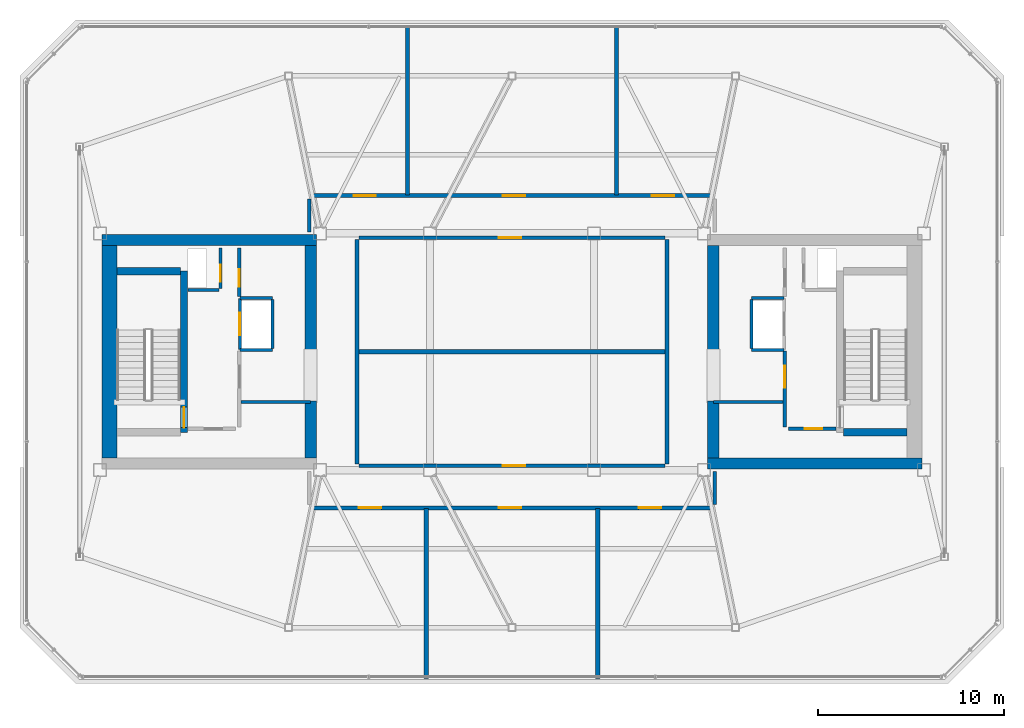
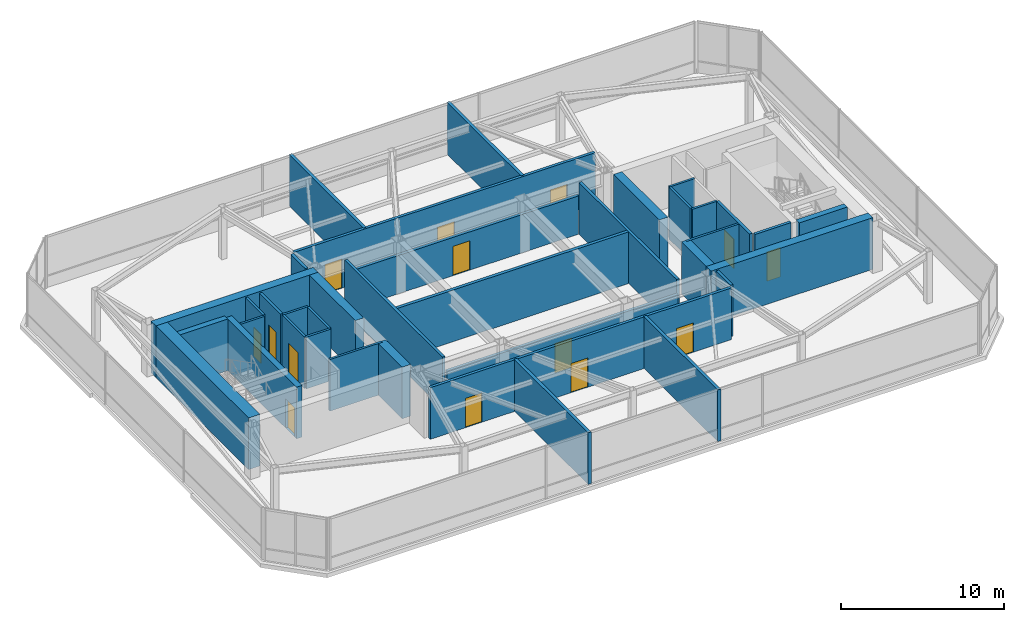
# One storey, part 18 of 22: 37 walls, 14 doors, 14 openings.
"""IFC4 building model written with IfcOpenShell, lengths in metres."""

from ifc_helpers import new_model, si_unit, direction, frame, frame_2d, origin, place, context, subcontext, project, spatial, rectangle, extrude, material, layer, layer_set, type_object, element, fill, save


model = new_model("IFC4")

# Units and contexts
model_context = context("Model", 3, precision=1e-05, world=origin(), true_north=direction((0.0, 1.0)))
body_context = subcontext(model_context, "Body", "Model", "MODEL_VIEW")
ifc_project = project(units=[si_unit("LENGTHUNIT", "METRE"), si_unit("AREAUNIT", "SQUARE_METRE"), si_unit("VOLUMEUNIT", "CUBIC_METRE"), si_unit("PLANEANGLEUNIT", "RADIAN"), si_unit("MASSUNIT", "GRAM", prefix="KILO")], contexts=[model_context])

# Site, building, storey
site_placement = place(None, origin())
site = spatial("IfcSite", under=ifc_project, at=site_placement, CompositionType="ELEMENT")
building_placement = place(site_placement, origin())
building = spatial("IfcBuilding", under=site, at=building_placement, Name="Tavrogorsk Clinical Tower", CompositionType="ELEMENT")
storey_placement = place(building_placement, frame((0.0, 0.0, 352.800048828125)))
storey = spatial("IfcBuildingStorey", under=building, at=storey_placement, Name="L82", CompositionType="ELEMENT", Elevation=352.800048828125)

# Wall, opening, door
ifc_material_1 = material(Name="Concrete B60", Category="concrete")
ifc_layer_1 = layer(ifc_material_1, 0.199951171875)
ifc_layer_set_1 = layer_set([ifc_layer_1], Name="Concrete B60")
wall_type_1 = type_object("IfcWallType", Name="CoreFireWall_200", PredefinedType="SOLIDWALL", material=ifc_layer_set_1)
wall_1_placement = place(storey_placement, frame((-14.639892578125, 2.9599609375, 0.0), z_axis=(0.0, 0.0, 1.0), x_axis=(0.0, 1.0, 0.0)))
wall_1 = element("IfcWall", 1, at=wall_1_placement, inside=storey, type_object=wall_type_1, Name="L82 Core West North Core Room East Wall", PredefinedType="SOLIDWALL", context=body_context, shape_type="SweptSolid", body=[
    extrude(rectangle(XDim=2.60009765625, YDim=0.199951171875, at=frame_2d((1.300048828125, 0.0))), origin(), (0.0, 0.0, 1.0), 3.8798828125),
])
opening_1_placement = place(wall_1_placement, frame((0.52001953125, 0.0, 0.0)))
opening_1 = element("IfcOpeningElement", 2, at=opening_1_placement, cuts=wall_1, Name="Opening ID-02", PredefinedType="OPENING", context=body_context, shape_type="SweptSolid", body=[
    extrude(rectangle(XDim=0.949951171875, YDim=2.199951171875, at=frame_2d((0.47509765625, 1.10009765625))), frame((0.0, 0.10986328125, 0.0), z_axis=(0.0, -1.0, 0.0), x_axis=(1.0, 0.0, 0.0)), (0.0, 0.0, 1.0), 0.219970703125),
])
ifc_material_2 = material(Name="Laminated timber leaf on aluminium frame", Category="wood")
door_type_1 = type_object("IfcDoorType", Name="InteriorDoor_ID02_950", OperationType="NOTDEFINED", PredefinedType="DOOR", material=ifc_material_2)
door_1_placement = place(opening_1_placement, origin())
door_1 = element("IfcDoor", 3, at=door_1_placement, inside=storey, type_object=door_type_1, Name="L82 Core West Core Telemetry Room Door", OperationType="SINGLE_SWING_LEFT", OverallHeight=2.199951171875, OverallWidth=0.949951171875, PredefinedType="DOOR", context=body_context, shape_type="SweptSolid", body=[
    extrude(rectangle(XDim=0.949951171875, YDim=2.199951171875, at=frame_2d((0.47509765625, 1.10009765625))), frame((0.0, 0.02490234375, 0.0), z_axis=(0.0, -1.0, 0.0), x_axis=(1.0, 0.0, 0.0)), (0.0, 0.0, 1.0), 0.050048828125),
])
fill(opening_1, door_1)

wall_2_placement = place(storey_placement, frame((14.824951171875, -4.139892578125, 0.0), z_axis=(0.0, 0.0, 1.0), x_axis=(1.0, 0.0, 0.0)))
wall_2 = element("IfcWall", 4, at=wall_2_placement, inside=storey, type_object=wall_type_1, Name="L82 Core East South Core Room Fire Wall", PredefinedType="SOLIDWALL", context=body_context, shape_type="SweptSolid", body=[
    extrude(rectangle(XDim=2.554931640625, YDim=0.199951171875, at=frame_2d((1.27734375, 0.0))), origin(), (0.0, 0.0, 1.0), 3.8798828125),
])
opening_2_placement = place(wall_2_placement, frame((0.8798828125, 0.0, 0.0)))
opening_2 = element("IfcOpeningElement", 5, at=opening_2_placement, cuts=wall_2, Name="Opening ID-02", PredefinedType="OPENING", context=body_context, shape_type="SweptSolid", body=[
    extrude(rectangle(XDim=0.949951171875, YDim=2.199951171875, at=frame_2d((0.47509765625, 1.10009765625))), frame((0.0, 0.10986328125, 0.0), z_axis=(0.0, -1.0, 0.0), x_axis=(1.0, 0.0, 0.0)), (0.0, 0.0, 1.0), 0.219970703125),
])
door_2_placement = place(opening_2_placement, origin())
door_2 = element("IfcDoor", 6, at=door_2_placement, inside=storey, type_object=door_type_1, Name="L82 Core East South Core Room Door", OperationType="SINGLE_SWING_RIGHT", OverallHeight=2.199951171875, OverallWidth=0.949951171875, PredefinedType="DOOR", context=body_context, shape_type="SweptSolid", body=[
    extrude(rectangle(XDim=0.949951171875, YDim=2.199951171875, at=frame_2d((0.47509765625, 1.10009765625))), frame((0.0, 0.02490234375, 0.0), z_axis=(0.0, -1.0, 0.0), x_axis=(1.0, 0.0, 0.0)), (0.0, 0.0, 1.0), 0.050048828125),
])
fill(opening_2, door_2)

wall_3_placement = place(storey_placement, frame((14.639892578125, -4.034912109375, 0.0), z_axis=(0.0, 0.0, 1.0), x_axis=(0.0, 1.0, 0.0)))
wall_3 = element("IfcWall", 7, at=wall_3_placement, inside=storey, type_object=wall_type_1, Name="L82 Core East Firefighting Lobby Fire Wall", PredefinedType="SOLIDWALL", context=body_context, shape_type="SweptSolid", body=[
    extrude(rectangle(XDim=4.074951171875, YDim=0.199951171875, at=frame_2d((2.03759765625, 0.0))), origin(), (0.0, 0.0, 1.0), 3.8798828125),
])
opening_3_placement = place(wall_3_placement, frame((2.090087890625, 0.0, 0.0)))
opening_3 = element("IfcOpeningElement", 8, at=opening_3_placement, cuts=wall_3, Name="Opening FD-01", PredefinedType="OPENING", context=body_context, shape_type="SweptSolid", body=[
    extrude(rectangle(XDim=1.199951171875, YDim=2.199951171875, at=frame_2d((0.60009765625, 1.10009765625))), frame((0.0, 0.10986328125, 0.0), z_axis=(0.0, -1.0, 0.0), x_axis=(1.0, 0.0, 0.0)), (0.0, 0.0, 1.0), 0.219970703125),
])
ifc_material_3 = material(Name="Galvanised steel fire-rated door assembly", Category="steel")
door_type_2 = type_object("IfcDoorType", Name="FireDoor_FD01_1200", OperationType="NOTDEFINED", PredefinedType="DOOR", material=ifc_material_3)
door_3_placement = place(opening_3_placement, origin())
door_3 = element("IfcDoor", 9, at=door_3_placement, inside=storey, type_object=door_type_2, Name="L82 Core East Firefighting Lobby Entry Door", OperationType="SINGLE_SWING_RIGHT", OverallHeight=2.199951171875, OverallWidth=1.199951171875, PredefinedType="DOOR", context=body_context, shape_type="SweptSolid", body=[
    extrude(rectangle(XDim=1.199951171875, YDim=2.199951171875, at=frame_2d((0.60009765625, 1.10009765625))), frame((0.0, 0.02490234375, 0.0), z_axis=(0.0, -1.0, 0.0), x_axis=(1.0, 0.0, 0.0)), (0.0, 0.0, 1.0), 0.050048828125),
])
fill(opening_3, door_3)

# Wall
wall_4_placement = place(storey_placement, frame((-10.8798828125, 6.419921875, 0.0), z_axis=(0.0, 0.0, 1.0), x_axis=(0.0, 1.0, 0.0)))
element("IfcWall", 10, at=wall_4_placement, inside=storey, type_object=wall_type_1, Name="L82 Crown Corridor Wall 02", PredefinedType="SOLIDWALL", context=body_context, shape_type="SweptSolid", body=[
    extrude(rectangle(XDim=1.775146484375, YDim=0.199951171875, at=frame_2d((0.8876953125, 0.0))), origin(), (0.0, 0.0, 1.0), 3.8798828125),
])

# Wall, openings, doors
wall_5_placement = place(storey_placement, frame((-10.695068359375, 8.3798828125, 0.0), z_axis=(0.0, 0.0, 1.0), x_axis=(1.0, 0.0, 0.0)))
wall_5 = element("IfcWall", 11, at=wall_5_placement, inside=storey, type_object=wall_type_1, Name="L82 Crown Corridor Wall 03", PredefinedType="SOLIDWALL", context=body_context, shape_type="SweptSolid", body=[
    extrude(rectangle(XDim=21.39013671875, YDim=0.199951171875, at=frame_2d((10.695068359375, 0.0))), origin(), (0.0, 0.0, 1.0), 3.8798828125),
])
opening_4_placement = place(wall_5_placement, frame((10.199951171875, 0.0, 0.0)))
opening_4 = element("IfcOpeningElement", 12, at=opening_4_placement, cuts=wall_5, Name="Opening FD-01", PredefinedType="OPENING", context=body_context, shape_type="SweptSolid", body=[
    extrude(rectangle(XDim=1.199951171875, YDim=2.199951171875, at=frame_2d((0.60009765625, 1.10009765625))), frame((0.0, 0.10986328125, 0.0), z_axis=(0.0, -1.0, 0.0), x_axis=(1.0, 0.0, 0.0)), (0.0, 0.0, 1.0), 0.219970703125),
])
opening_5_placement = place(wall_5_placement, frame((2.194091796875, 0.0, 0.0)))
opening_5 = element("IfcOpeningElement", 13, at=opening_5_placement, cuts=wall_5, Name="Opening FD-01", PredefinedType="OPENING", context=body_context, shape_type="SweptSolid", body=[
    extrude(rectangle(XDim=1.199951171875, YDim=2.199951171875, at=frame_2d((0.60009765625, 1.10009765625))), frame((0.0, 0.10986328125, 0.0), z_axis=(0.0, -1.0, 0.0), x_axis=(1.0, 0.0, 0.0)), (0.0, 0.0, 1.0), 0.219970703125),
])
opening_6_placement = place(wall_5_placement, frame((18.205810546875, 0.0, 0.0)))
opening_6 = element("IfcOpeningElement", 14, at=opening_6_placement, cuts=wall_5, Name="Opening FD-01", PredefinedType="OPENING", context=body_context, shape_type="SweptSolid", body=[
    extrude(rectangle(XDim=1.199951171875, YDim=2.199951171875, at=frame_2d((0.60009765625, 1.10009765625))), frame((0.0, 0.10986328125, 0.0), z_axis=(0.0, -1.0, 0.0), x_axis=(1.0, 0.0, 0.0)), (0.0, 0.0, 1.0), 0.219970703125),
])
door_4_placement = place(opening_4_placement, origin())
door_4 = element("IfcDoor", 15, at=door_4_placement, inside=storey, type_object=door_type_2, Name="L82 Standby UPS & Beacon Telemetry Plant N Door", OperationType="SINGLE_SWING_RIGHT", OverallHeight=2.199951171875, OverallWidth=1.199951171875, PredefinedType="DOOR", context=body_context, shape_type="SweptSolid", body=[
    extrude(rectangle(XDim=1.199951171875, YDim=2.199951171875, at=frame_2d((0.60009765625, 1.10009765625))), frame((0.0, 0.02490234375, 0.0), z_axis=(0.0, -1.0, 0.0), x_axis=(1.0, 0.0, 0.0)), (0.0, 0.0, 1.0), 0.050048828125),
])
fill(opening_4, door_4)
door_5_placement = place(opening_5_placement, origin())
door_5 = element("IfcDoor", 16, at=door_5_placement, inside=storey, type_object=door_type_2, Name="L82 Chilled Water Booster Plant WN Door", OperationType="SINGLE_SWING_LEFT", OverallHeight=2.199951171875, OverallWidth=1.199951171875, PredefinedType="DOOR", context=body_context, shape_type="SweptSolid", body=[
    extrude(rectangle(XDim=1.199951171875, YDim=2.199951171875, at=frame_2d((0.60009765625, 1.10009765625))), frame((0.0, 0.02490234375, 0.0), z_axis=(0.0, -1.0, 0.0), x_axis=(1.0, 0.0, 0.0)), (0.0, 0.0, 1.0), 0.050048828125),
])
fill(opening_5, door_5)
door_6_placement = place(opening_6_placement, origin())
door_6 = element("IfcDoor", 17, at=door_6_placement, inside=storey, type_object=door_type_2, Name="L82 Chilled Water Booster Plant EN Door", OperationType="SINGLE_SWING_RIGHT", OverallHeight=2.199951171875, OverallWidth=1.199951171875, PredefinedType="DOOR", context=body_context, shape_type="SweptSolid", body=[
    extrude(rectangle(XDim=1.199951171875, YDim=2.199951171875, at=frame_2d((0.60009765625, 1.10009765625))), frame((0.0, 0.02490234375, 0.0), z_axis=(0.0, -1.0, 0.0), x_axis=(1.0, 0.0, 0.0)), (0.0, 0.0, 1.0), 0.050048828125),
])
fill(opening_6, door_6)

# Wall
wall_6_placement = place(storey_placement, frame((10.8798828125, -6.419921875, 0.0), z_axis=(0.0, 0.0, 1.0), x_axis=(0.0, -1.0, 0.0)))
element("IfcWall", 18, at=wall_6_placement, inside=storey, type_object=wall_type_1, Name="L82 Crown Corridor Wall 05", PredefinedType="SOLIDWALL", context=body_context, shape_type="SweptSolid", body=[
    extrude(rectangle(XDim=1.775146484375, YDim=0.199951171875, at=frame_2d((0.8876953125, 0.0))), origin(), (0.0, 0.0, 1.0), 3.8798828125),
])

# Wall, openings, doors
wall_7_placement = place(storey_placement, frame((10.695068359375, -8.3798828125, 0.0), z_axis=(0.0, 0.0, 1.0), x_axis=(-1.0, 0.0, 0.0)))
wall_7 = element("IfcWall", 19, at=wall_7_placement, inside=storey, type_object=wall_type_1, Name="L82 Crown Corridor Wall 06", PredefinedType="SOLIDWALL", context=body_context, shape_type="SweptSolid", body=[
    extrude(rectangle(XDim=21.39013671875, YDim=0.199951171875, at=frame_2d((10.695068359375, 0.0))), origin(), (0.0, 0.0, 1.0), 3.8798828125),
])
opening_7_placement = place(wall_7_placement, frame((10.199951171875, 0.0, 0.0)))
opening_7 = element("IfcOpeningElement", 20, at=opening_7_placement, cuts=wall_7, Name="Opening FD-01", PredefinedType="OPENING", context=body_context, shape_type="SweptSolid", body=[
    extrude(rectangle(XDim=1.199951171875, YDim=2.199951171875, at=frame_2d((0.60009765625, 1.10009765625))), frame((0.0, 0.10986328125, 0.0), z_axis=(0.0, -1.0, 0.0), x_axis=(1.0, 0.0, 0.0)), (0.0, 0.0, 1.0), 0.219970703125),
])
opening_8_placement = place(wall_7_placement, frame((17.705810546875, 0.0, 0.0)))
opening_8 = element("IfcOpeningElement", 21, at=opening_8_placement, cuts=wall_7, Name="Opening FD-01", PredefinedType="OPENING", context=body_context, shape_type="SweptSolid", body=[
    extrude(rectangle(XDim=1.199951171875, YDim=2.199951171875, at=frame_2d((0.60009765625, 1.10009765625))), frame((0.0, 0.10986328125, 0.0), z_axis=(0.0, -1.0, 0.0), x_axis=(1.0, 0.0, 0.0)), (0.0, 0.0, 1.0), 0.219970703125),
])
opening_9_placement = place(wall_7_placement, frame((2.694091796875, 0.0, 0.0)))
opening_9 = element("IfcOpeningElement", 22, at=opening_9_placement, cuts=wall_7, Name="Opening FD-01", PredefinedType="OPENING", context=body_context, shape_type="SweptSolid", body=[
    extrude(rectangle(XDim=1.199951171875, YDim=2.199951171875, at=frame_2d((0.60009765625, 1.10009765625))), frame((0.0, 0.10986328125, 0.0), z_axis=(0.0, -1.0, 0.0), x_axis=(1.0, 0.0, 0.0)), (0.0, 0.0, 1.0), 0.219970703125),
])
door_7_placement = place(opening_7_placement, origin())
door_7 = element("IfcDoor", 23, at=door_7_placement, inside=storey, type_object=door_type_2, Name="L82 Smoke-Extract Fan Plant S Door", OperationType="SINGLE_SWING_LEFT", OverallHeight=2.199951171875, OverallWidth=1.199951171875, PredefinedType="DOOR", context=body_context, shape_type="SweptSolid", body=[
    extrude(rectangle(XDim=1.199951171875, YDim=2.199951171875, at=frame_2d((0.60009765625, 1.10009765625))), frame((0.0, 0.02490234375, 0.0), z_axis=(0.0, -1.0, 0.0), x_axis=(1.0, 0.0, 0.0)), (0.0, 0.0, 1.0), 0.050048828125),
])
fill(opening_7, door_7)
door_8_placement = place(opening_8_placement, origin())
door_8 = element("IfcDoor", 24, at=door_8_placement, inside=storey, type_object=door_type_2, Name="L82 Pressurisation Fan Plant WS Door", OperationType="SINGLE_SWING_LEFT", OverallHeight=2.199951171875, OverallWidth=1.199951171875, PredefinedType="DOOR", context=body_context, shape_type="SweptSolid", body=[
    extrude(rectangle(XDim=1.199951171875, YDim=2.199951171875, at=frame_2d((0.60009765625, 1.10009765625))), frame((0.0, 0.02490234375, 0.0), z_axis=(0.0, -1.0, 0.0), x_axis=(1.0, 0.0, 0.0)), (0.0, 0.0, 1.0), 0.050048828125),
])
fill(opening_8, door_8)
door_9_placement = place(opening_9_placement, origin())
door_9 = element("IfcDoor", 25, at=door_9_placement, inside=storey, type_object=door_type_2, Name="L82 Pressurisation Fan Plant ES Door", OperationType="SINGLE_SWING_RIGHT", OverallHeight=2.199951171875, OverallWidth=1.199951171875, PredefinedType="DOOR", context=body_context, shape_type="SweptSolid", body=[
    extrude(rectangle(XDim=1.199951171875, YDim=2.199951171875, at=frame_2d((0.60009765625, 1.10009765625))), frame((0.0, 0.02490234375, 0.0), z_axis=(0.0, -1.0, 0.0), x_axis=(1.0, 0.0, 0.0)), (0.0, 0.0, 1.0), 0.050048828125),
])
fill(opening_9, door_9)

# Wall
wall_8_placement = place(storey_placement, frame((8.320068359375, -6.014892578125, 0.0), z_axis=(0.0, 0.0, 1.0), x_axis=(0.0, 1.0, 0.0)))
element("IfcWall", 26, at=wall_8_placement, inside=storey, type_object=wall_type_1, Name="L82 Crown Corridor Wall 07", PredefinedType="SOLIDWALL", context=body_context, shape_type="SweptSolid", body=[
    extrude(rectangle(XDim=12.02978515625, YDim=0.199951171875, at=frame_2d((6.014892578125, 0.0))), origin(), (0.0, 0.0, 1.0), 3.8798828125),
])

# Wall, opening, door
wall_9_placement = place(storey_placement, frame((8.215087890625, 6.1201171875, 0.0), z_axis=(0.0, 0.0, 1.0), x_axis=(-1.0, 0.0, 0.0)))
wall_9 = element("IfcWall", 27, at=wall_9_placement, inside=storey, type_object=wall_type_1, Name="L82 Crown Corridor Wall 08", PredefinedType="SOLIDWALL", context=body_context, shape_type="SweptSolid", body=[
    extrude(rectangle(XDim=16.43017578125, YDim=0.199951171875, at=frame_2d((8.215087890625, 0.0))), origin(), (0.0, 0.0, 1.0), 2.875),
])
opening_10_placement = place(wall_9_placement, frame((7.719970703125, 0.0, 0.0)))
opening_10 = element("IfcOpeningElement", 28, at=opening_10_placement, cuts=wall_9, Name="Opening FD-01", PredefinedType="OPENING", context=body_context, shape_type="SweptSolid", body=[
    extrude(rectangle(XDim=1.199951171875, YDim=2.199951171875, at=frame_2d((0.60009765625, 1.10009765625))), frame((0.0, 0.10986328125, 0.0), z_axis=(0.0, -1.0, 0.0), x_axis=(1.0, 0.0, 0.0)), (0.0, 0.0, 1.0), 0.219970703125),
])
door_10_placement = place(opening_10_placement, origin())
door_10 = element("IfcDoor", 29, at=door_10_placement, inside=storey, type_object=door_type_2, Name="L82 Helipad Foam Suppression & De-Icing Plant Door", OperationType="SINGLE_SWING_RIGHT", OverallHeight=2.199951171875, OverallWidth=1.199951171875, PredefinedType="DOOR", context=body_context, shape_type="SweptSolid", body=[
    extrude(rectangle(XDim=1.199951171875, YDim=2.199951171875, at=frame_2d((0.60009765625, 1.10009765625))), frame((0.0, 0.02490234375, 0.0), z_axis=(0.0, -1.0, 0.0), x_axis=(1.0, 0.0, 0.0)), (0.0, 0.0, 1.0), 0.050048828125),
])
fill(opening_10, door_10)

# Wall
wall_10_placement = place(storey_placement, frame((-8.320068359375, 6.014892578125, 0.0), z_axis=(0.0, 0.0, 1.0), x_axis=(0.0, -1.0, 0.0)))
element("IfcWall", 30, at=wall_10_placement, inside=storey, type_object=wall_type_1, Name="L82 Crown Corridor Wall 09", PredefinedType="SOLIDWALL", context=body_context, shape_type="SweptSolid", body=[
    extrude(rectangle(XDim=12.02978515625, YDim=0.199951171875, at=frame_2d((6.014892578125, 0.0))), origin(), (0.0, 0.0, 1.0), 3.8798828125),
])

# Wall, opening, door
wall_11_placement = place(storey_placement, frame((-8.215087890625, -6.1201171875, 0.0), z_axis=(0.0, 0.0, 1.0), x_axis=(1.0, 0.0, 0.0)))
wall_11 = element("IfcWall", 31, at=wall_11_placement, inside=storey, type_object=wall_type_1, Name="L82 Crown Corridor Wall 10", PredefinedType="SOLIDWALL", context=body_context, shape_type="SweptSolid", body=[
    extrude(rectangle(XDim=16.43017578125, YDim=0.199951171875, at=frame_2d((8.215087890625, 0.0))), origin(), (0.0, 0.0, 1.0), 2.875),
])
opening_11_placement = place(wall_11_placement, frame((7.719970703125, 0.0, 0.0)))
opening_11 = element("IfcOpeningElement", 32, at=opening_11_placement, cuts=wall_11, Name="Opening FD-01", PredefinedType="OPENING", context=body_context, shape_type="SweptSolid", body=[
    extrude(rectangle(XDim=1.199951171875, YDim=2.199951171875, at=frame_2d((0.60009765625, 1.10009765625))), frame((0.0, 0.10986328125, 0.0), z_axis=(0.0, -1.0, 0.0), x_axis=(1.0, 0.0, 0.0)), (0.0, 0.0, 1.0), 0.219970703125),
])
door_11_placement = place(opening_11_placement, origin())
door_11 = element("IfcDoor", 33, at=door_11_placement, inside=storey, type_object=door_type_2, Name="L82 Mast RF Transmitter & Cooling Plant Door", OperationType="SINGLE_SWING_LEFT", OverallHeight=2.199951171875, OverallWidth=1.199951171875, PredefinedType="DOOR", context=body_context, shape_type="SweptSolid", body=[
    extrude(rectangle(XDim=1.199951171875, YDim=2.199951171875, at=frame_2d((0.60009765625, 1.10009765625))), frame((0.0, 0.02490234375, 0.0), z_axis=(0.0, -1.0, 0.0), x_axis=(1.0, 0.0, 0.0)), (0.0, 0.0, 1.0), 0.050048828125),
])
fill(opening_11, door_11)

# Walls
ifc_material_4 = material(Name="Lightweight concrete blockwork B15", Category="masonry")
ifc_layer_2 = layer(ifc_material_4, 0.159912109375)
ifc_layer_set_2 = layer_set([ifc_layer_2], Name="Lightweight concrete blockwork B15")
wall_type_2 = type_object("IfcWallType", Name="PartitionWall_160", PredefinedType="PARTITIONING", material=ifc_layer_set_2)
for number, where, z_axis, x_axis, name in (
    (34, (-14.534912109375, -2.699951171875, 0.0), (0.0, 0.0, 1.0), (1.0, 0.0, 0.0), "L82 Core West Freed Mid-Bank North Partition"),
    (35, (10.800048828125, -2.699951171875, 0.0), (0.0, 0.0, 1.0), (1.0, 0.0, 0.0), "L82 Core East Freed Mid-Bank North Partition"),
):
    element("IfcWall", number, at=place(storey_placement, frame(where, z_axis=z_axis, x_axis=x_axis)), inside=storey, type_object=wall_type_2, Name=name, PredefinedType="PARTITIONING", context=body_context, shape_type="SweptSolid", body=[
        extrude(rectangle(XDim=3.73486328125, YDim=0.159912109375, at=frame_2d((1.867431640625, 0.0))), origin(), (0.0, 0.0, 1.0), 3.8798828125),
    ])
ifc_material_5 = material(Name="Concrete B45", Category="concrete")
ifc_layer_3 = layer(ifc_material_5, 0.219970703125)
ifc_layer_set_3 = layer_set([ifc_layer_3], Name="Concrete B45")
wall_type_3 = type_object("IfcWallType", Name="PartitionWall_220", PredefinedType="SOLIDWALL", material=ifc_layer_set_3)
for number, where, z_axis, x_axis, name in (
    (36, (-4.60009765625, -17.530029296875, 0.0), (0.0, 0.0, 1.0), (0.0, 1.0, 0.0), "L82 Crown Partition 1"),
    (37, (4.60009765625, -17.530029296875, 0.0), (0.0, 0.0, 1.0), (0.0, 1.0, 0.0), "L82 Crown Partition 2"),
    (38, (-5.60009765625, 8.405029296875, 0.0), (0.0, 0.0, 1.0), (0.0, 1.0, 0.0), "L82 Crown Partition 3"),
    (39, (5.60009765625, 8.405029296875, 0.0), (0.0, 0.0, 1.0), (0.0, 1.0, 0.0), "L82 Crown Partition 4"),
):
    element("IfcWall", number, at=place(storey_placement, frame(where, z_axis=z_axis, x_axis=x_axis)), inside=storey, type_object=wall_type_3, Name=name, PredefinedType="SOLIDWALL", context=body_context, shape_type="SweptSolid", body=[
        extrude(rectangle(XDim=9.125, YDim=0.219970703125, at=frame_2d((4.5625, 0.0))), origin(), (0.0, 0.0, 1.0), 3.8798828125),
    ])
wall_12_placement = place(storey_placement, frame((-8.215087890625, 0.0, 0.0), z_axis=(0.0, 0.0, 1.0), x_axis=(1.0, 0.0, 0.0)))
element("IfcWall", 40, at=wall_12_placement, inside=storey, type_object=wall_type_3, Name="L82 Crown Partition 5", PredefinedType="SOLIDWALL", context=body_context, shape_type="SweptSolid", body=[
    extrude(rectangle(XDim=16.43017578125, YDim=0.219970703125, at=frame_2d((8.215087890625, 0.0))), origin(), (0.0, 0.0, 1.0), 3.8798828125),
])

# Wall, opening, door
ifc_material_6 = material(Name="Lightweight concrete blockwork B25", Category="masonry")
ifc_layer_4 = layer(ifc_material_6, 0.159912109375)
ifc_layer_set_4 = layer_set([ifc_layer_4], Name="Lightweight concrete blockwork B25")
wall_type_4 = type_object("IfcWallType", Name="ShaftWall_160", PredefinedType="PARTITIONING", material=ifc_layer_set_4)
wall_13_placement = place(storey_placement, frame((-14.60009765625, 0.1201171875, 0.0), z_axis=(0.0, 0.0, 1.0), x_axis=(0.0, 1.0, 0.0)))
wall_13 = element("IfcWall", 41, at=wall_13_placement, inside=storey, type_object=wall_type_4, Name="L82 FFL-W Firefighting Lift Front Wall", PredefinedType="PARTITIONING", context=body_context, shape_type="SweptSolid", body=[
    extrude(rectangle(XDim=2.739990234375, YDim=0.159912109375, at=frame_2d((1.3701171875, 0.0))), origin(), (0.0, 0.0, 1.0), 3.8798828125),
])
opening_12_placement = place(wall_13_placement, frame((0.77001953125, 0.0, 0.0)))
opening_12 = element("IfcOpeningElement", 42, at=opening_12_placement, cuts=wall_13, Name="Opening LD", PredefinedType="OPENING", context=body_context, shape_type="SweptSolid", body=[
    extrude(rectangle(XDim=1.199951171875, YDim=2.199951171875, at=frame_2d((0.60009765625, 1.10009765625))), frame((0.0, 0.08984375, 0.0), z_axis=(0.0, -1.0, 0.0), x_axis=(1.0, 0.0, 0.0)), (0.0, 0.0, 1.0), 0.179931640625),
])
ifc_material_7 = material(Name="Brushed stainless steel AISI 304 sliding doors", Category="steel")
door_type_3 = type_object("IfcDoorType", Name="LiftLandingDoor_LD_1200", OperationType="SLIDING_TO_LEFT", PredefinedType="DOOR", material=ifc_material_7)
door_12_placement = place(opening_12_placement, origin())
door_12 = element("IfcDoor", 43, at=door_12_placement, inside=storey, type_object=door_type_3, Name="L82 FFL-W Sliding Lift Landing Door", OperationType="SLIDING_TO_LEFT", OverallHeight=2.199951171875, OverallWidth=1.199951171875, PredefinedType="DOOR", context=body_context, shape_type="SweptSolid", body=[
    extrude(rectangle(XDim=1.199951171875, YDim=2.199951171875, at=frame_2d((0.60009765625, 1.10009765625))), frame((0.0, 0.02490234375, 0.0), z_axis=(0.0, -1.0, 0.0), x_axis=(1.0, 0.0, 0.0)), (0.0, 0.0, 1.0), 0.050048828125),
])
fill(opening_12, door_12)

# Walls
for number, where, z_axis, x_axis, name in (
    (44, (-14.60009765625, 0.10009765625, 0.0), (0.0, 0.0, 1.0), (1.0, 0.0, 0.0), "L82 FFL-W Shaft South Wall"),
    (45, (-14.60009765625, 2.8798828125, 0.0), (0.0, 0.0, 1.0), (1.0, 0.0, 0.0), "L82 FFL-W Shaft North Wall"),
):
    element("IfcWall", number, at=place(storey_placement, frame(where, z_axis=z_axis, x_axis=x_axis)), inside=storey, type_object=wall_type_4, Name=name, PredefinedType="PARTITIONING", context=body_context, shape_type="SweptSolid", body=[
        extrude(rectangle(XDim=1.760009765625, YDim=0.159912109375, at=frame_2d((0.8798828125, 0.0))), origin(), (0.0, 0.0, 1.0), 3.8798828125),
    ])
wall_14_placement = place(storey_placement, frame((-12.840087890625, 0.179931640625, 0.0), z_axis=(0.0, 0.0, 1.0), x_axis=(0.0, 1.0, 0.0)))
element("IfcWall", 46, at=wall_14_placement, inside=storey, type_object=wall_type_4, Name="L82 FFL-W Shaft Back Wall", PredefinedType="PARTITIONING", context=body_context, shape_type="SweptSolid", body=[
    extrude(rectangle(XDim=2.6201171875, YDim=0.159912109375, at=frame_2d((1.31005859375, 0.0))), origin(), (0.0, 0.0, 1.0), 3.8798828125),
])
for number, where, z_axis, x_axis, name in (
    (47, (12.840087890625, 0.10009765625, 0.0), (0.0, 0.0, 1.0), (1.0, 0.0, 0.0), "L82 FFL-E Shaft South Wall"),
    (48, (12.840087890625, 2.8798828125, 0.0), (0.0, 0.0, 1.0), (1.0, 0.0, 0.0), "L82 FFL-E Shaft North Wall"),
):
    element("IfcWall", number, at=place(storey_placement, frame(where, z_axis=z_axis, x_axis=x_axis)), inside=storey, type_object=wall_type_4, Name=name, PredefinedType="PARTITIONING", context=body_context, shape_type="SweptSolid", body=[
        extrude(rectangle(XDim=1.760009765625, YDim=0.159912109375, at=frame_2d((0.8798828125, 0.0))), origin(), (0.0, 0.0, 1.0), 3.8798828125),
    ])
wall_15_placement = place(storey_placement, frame((12.840087890625, 0.179931640625, 0.0), z_axis=(0.0, 0.0, 1.0), x_axis=(0.0, 1.0, 0.0)))
element("IfcWall", 49, at=wall_15_placement, inside=storey, type_object=wall_type_4, Name="L82 FFL-E Shaft Back Wall", PredefinedType="PARTITIONING", context=body_context, shape_type="SweptSolid", body=[
    extrude(rectangle(XDim=2.6201171875, YDim=0.159912109375, at=frame_2d((1.31005859375, 0.0))), origin(), (0.0, 0.0, 1.0), 3.8798828125),
])

# Wall, opening, door
wall_16_placement = place(storey_placement, frame((-15.639892578125, 3.405029296875, 0.0), z_axis=(0.0, 0.0, 1.0), x_axis=(0.0, 1.0, 0.0)))
wall_16 = element("IfcWall", 50, at=wall_16_placement, inside=storey, type_object=wall_type_4, Name="L82 Core West Riser West Wall", PredefinedType="PARTITIONING", context=body_context, shape_type="SweptSolid", body=[
    extrude(rectangle(XDim=2.155029296875, YDim=0.159912109375, at=frame_2d((1.07763671875, 0.0))), origin(), (0.0, 0.0, 1.0), 3.8798828125),
])
opening_13_placement = place(wall_16_placement, frame((0.35009765625, 0.0, 0.0)))
opening_13 = element("IfcOpeningElement", 51, at=opening_13_placement, cuts=wall_16, Name="Opening FD-02", PredefinedType="OPENING", context=body_context, shape_type="SweptSolid", body=[
    extrude(rectangle(XDim=0.89990234375, YDim=2.199951171875, at=frame_2d((0.449951171875, 1.10009765625))), frame((0.0, 0.08984375, 0.0), z_axis=(0.0, -1.0, 0.0), x_axis=(1.0, 0.0, 0.0)), (0.0, 0.0, 1.0), 0.179931640625),
])
ifc_material_8 = material(Name="Galvanised steel fire-rated door assembly", Category="steel")
door_type_4 = type_object("IfcDoorType", Name="FireDoor_FD02_900", OperationType="NOTDEFINED", PredefinedType="DOOR", material=ifc_material_8)
door_13_placement = place(opening_13_placement, origin())
door_13 = element("IfcDoor", 52, at=door_13_placement, inside=storey, type_object=door_type_4, Name="L82 Core West Electrical Riser Access Door", OperationType="SINGLE_SWING_LEFT", OverallHeight=2.199951171875, OverallWidth=0.89990234375, PredefinedType="DOOR", context=body_context, shape_type="SweptSolid", body=[
    extrude(rectangle(XDim=0.89990234375, YDim=2.199951171875, at=frame_2d((0.449951171875, 1.10009765625))), frame((0.0, 0.02490234375, 0.0), z_axis=(0.0, -1.0, 0.0), x_axis=(1.0, 0.0, 0.0)), (0.0, 0.0, 1.0), 0.050048828125),
])
fill(opening_13, door_13)

# Wall
wall_17_placement = place(storey_placement, frame((-17.3798828125, 3.320068359375, 0.0), z_axis=(0.0, 0.0, 1.0), x_axis=(1.0, 0.0, 0.0)))
element("IfcWall", 53, at=wall_17_placement, inside=storey, type_object=wall_type_4, Name="L82 Core West Riser South Wall", PredefinedType="PARTITIONING", context=body_context, shape_type="SweptSolid", body=[
    extrude(rectangle(XDim=1.65478515625, YDim=0.159912109375, at=frame_2d((0.827392578125, 0.0))), origin(), (0.0, 0.0, 1.0), 3.8798828125),
])

# Wall, opening, door
ifc_material_9 = material(Name="Concrete B80", Category="concrete")
ifc_layer_5 = layer(ifc_material_9, 0.39990234375)
ifc_layer_set_5 = layer_set([ifc_layer_5], Name="Concrete B80")
wall_type_5 = type_object("IfcWallType", Name="ShearWall_400", PredefinedType="SHEAR", material=ifc_layer_set_5)
wall_18_placement = place(storey_placement, frame((-17.60009765625, -4.324951171875, 0.0), z_axis=(0.0, 0.0, 1.0), x_axis=(0.0, 1.0, 0.0)))
wall_18 = element("IfcWall", 54, at=wall_18_placement, inside=storey, type_object=wall_type_5, Name="L82 Core West Stair Shaft Inner Shear Wall", PredefinedType="SHEAR", context=body_context, shape_type="SweptSolid", body=[
    extrude(rectangle(XDim=8.64990234375, YDim=0.39990234375, at=frame_2d((4.324951171875, 0.0))), origin(), (0.0, 0.0, 1.0), 3.8798828125),
])
opening_14_placement = place(wall_18_placement, frame((0.25, 0.0, 0.0)))
opening_14 = element("IfcOpeningElement", 55, at=opening_14_placement, cuts=wall_18, Name="Opening SD-01", PredefinedType="OPENING", context=body_context, shape_type="SweptSolid", body=[
    extrude(rectangle(XDim=1.10009765625, YDim=2.199951171875, at=frame_2d((0.550048828125, 1.10009765625))), frame((0.0, 0.2099609375, 0.0), z_axis=(0.0, -1.0, 0.0), x_axis=(1.0, 0.0, 0.0)), (0.0, 0.0, 1.0), 0.419921875),
])
ifc_material_10 = material(Name="Galvanised steel smoke-tight fire door assembly", Category="steel")
door_type_5 = type_object("IfcDoorType", Name="StairFireDoor_SD01_1100", OperationType="NOTDEFINED", PredefinedType="DOOR", material=ifc_material_10)
door_14_placement = place(opening_14_placement, origin())
door_14 = element("IfcDoor", 56, at=door_14_placement, inside=storey, type_object=door_type_5, Name="L82 ST-W Exit Stair Door", OperationType="SINGLE_SWING_LEFT", OverallHeight=2.199951171875, OverallWidth=1.10009765625, PredefinedType="DOOR", context=body_context, shape_type="SweptSolid", body=[
    extrude(rectangle(XDim=1.10009765625, YDim=2.199951171875, at=frame_2d((0.550048828125, 1.10009765625))), frame((0.0, 0.02490234375, 0.0), z_axis=(0.0, -1.0, 0.0), x_axis=(1.0, 0.0, 0.0)), (0.0, 0.0, 1.0), 0.050048828125),
])
fill(opening_14, door_14)

# Walls
for number, where, z_axis, x_axis, name in (
    (57, (-21.199951171875, 4.324951171875, 0.0), (0.0, 0.0, 1.0), (1.0, 0.0, 0.0), "L82 Core West Stair Shaft North Shear Wall"),
    (58, (17.800048828125, -4.324951171875, 0.0), (0.0, 0.0, 1.0), (1.0, 0.0, 0.0), "L82 Core East Stair Shaft South Shear Wall"),
):
    element("IfcWall", number, at=place(storey_placement, frame(where, z_axis=z_axis, x_axis=x_axis)), inside=storey, type_object=wall_type_5, Name=name, PredefinedType="SHEAR", context=body_context, shape_type="SweptSolid", body=[
        extrude(rectangle(XDim=3.39990234375, YDim=0.39990234375, at=frame_2d((1.699951171875, 0.0))), origin(), (0.0, 0.0, 1.0), 3.8798828125),
    ])
ifc_material_11 = material(Name="Concrete B80", Category="concrete")
ifc_layer_6 = layer(ifc_material_11, 0.60009765625)
ifc_layer_set_6 = layer_set([ifc_layer_6], Name="Concrete B80")
wall_type_6 = type_object("IfcWallType", Name="ShearWall_600", PredefinedType="SHEAR", material=ifc_layer_set_6)
wall_19_placement = place(storey_placement, frame((-22.0, 6.0, 0.0), z_axis=(0.0, 0.0, 1.0), x_axis=(1.0, 0.0, 0.0)))
element("IfcWall", 59, at=wall_19_placement, inside=storey, type_object=wall_type_6, Name="L82 Core West North Shear Wall", PredefinedType="SHEAR", context=body_context, shape_type="SweptSolid", body=[
    extrude(rectangle(XDim=11.5, YDim=0.60009765625, at=frame_2d((5.75, 0.0))), origin(), (0.0, 0.0, 1.0), 3.8798828125),
])
wall_20_placement = place(storey_placement, frame((-10.800048828125, -5.699951171875, 0.0), z_axis=(0.0, 0.0, 1.0), x_axis=(0.0, 1.0, 0.0)))
element("IfcWall", 60, at=wall_20_placement, inside=storey, type_object=wall_type_6, Name="L82 Core West Inner South Pier", PredefinedType="SHEAR", context=body_context, shape_type="SweptSolid", body=[
    extrude(rectangle(XDim=3.050048828125, YDim=0.60009765625, at=frame_2d((1.52490234375, 0.0))), origin(), (0.0, 0.0, 1.0), 3.8798828125),
])
wall_21_placement = place(storey_placement, frame((-10.800048828125, 0.050048828125, 0.0), z_axis=(0.0, 0.0, 1.0), x_axis=(0.0, 1.0, 0.0)))
element("IfcWall", 61, at=wall_21_placement, inside=storey, type_object=wall_type_6, Name="L82 Core West Inner North Pier", PredefinedType="SHEAR", context=body_context, shape_type="SweptSolid", body=[
    extrude(rectangle(XDim=5.64990234375, YDim=0.60009765625, at=frame_2d((2.824951171875, 0.0))), origin(), (0.0, 0.0, 1.0), 3.8798828125),
])
wall_22_placement = place(storey_placement, frame((10.5, -6.0, 0.0), z_axis=(0.0, 0.0, 1.0), x_axis=(1.0, 0.0, 0.0)))
element("IfcWall", 62, at=wall_22_placement, inside=storey, type_object=wall_type_6, Name="L82 Core East South Shear Wall", PredefinedType="SHEAR", context=body_context, shape_type="SweptSolid", body=[
    extrude(rectangle(XDim=11.5, YDim=0.60009765625, at=frame_2d((5.75, 0.0))), origin(), (0.0, 0.0, 1.0), 3.8798828125),
])
wall_23_placement = place(storey_placement, frame((10.800048828125, -5.699951171875, 0.0), z_axis=(0.0, 0.0, 1.0), x_axis=(0.0, 1.0, 0.0)))
element("IfcWall", 63, at=wall_23_placement, inside=storey, type_object=wall_type_6, Name="L82 Core East Inner South Pier", PredefinedType="SHEAR", context=body_context, shape_type="SweptSolid", body=[
    extrude(rectangle(XDim=3.050048828125, YDim=0.60009765625, at=frame_2d((1.52490234375, 0.0))), origin(), (0.0, 0.0, 1.0), 3.8798828125),
])
wall_24_placement = place(storey_placement, frame((10.800048828125, 0.050048828125, 0.0), z_axis=(0.0, 0.0, 1.0), x_axis=(0.0, 1.0, 0.0)))
element("IfcWall", 64, at=wall_24_placement, inside=storey, type_object=wall_type_6, Name="L82 Core East Inner North Pier", PredefinedType="SHEAR", context=body_context, shape_type="SweptSolid", body=[
    extrude(rectangle(XDim=5.64990234375, YDim=0.60009765625, at=frame_2d((2.824951171875, 0.0))), origin(), (0.0, 0.0, 1.0), 3.8798828125),
])
ifc_material_12 = material(Name="Concrete B80", Category="concrete")
ifc_layer_7 = layer(ifc_material_12, 0.800048828125)
ifc_layer_set_7 = layer_set([ifc_layer_7], Name="Concrete B80")
wall_type_7 = type_object("IfcWallType", Name="ShearWall_800", PredefinedType="SHEAR", material=ifc_layer_set_7)
wall_25_placement = place(storey_placement, frame((-21.60009765625, -5.699951171875, 0.0), z_axis=(0.0, 0.0, 1.0), x_axis=(0.0, 1.0, 0.0)))
element("IfcWall", 65, at=wall_25_placement, inside=storey, type_object=wall_type_7, Name="L82 Core West End Shear Wall", PredefinedType="SHEAR", context=body_context, shape_type="SweptSolid", body=[
    extrude(rectangle(XDim=11.39990234375, YDim=0.800048828125, at=frame_2d((5.699951171875, 0.0))), origin(), (0.0, 0.0, 1.0), 3.8798828125),
])

save(model, "model.ifc")
